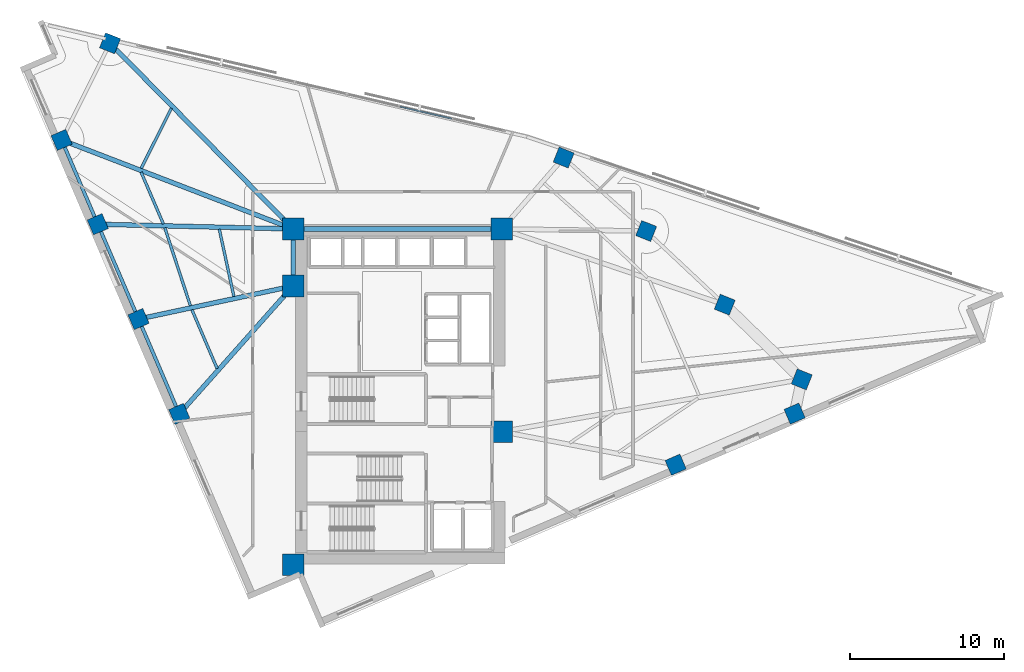
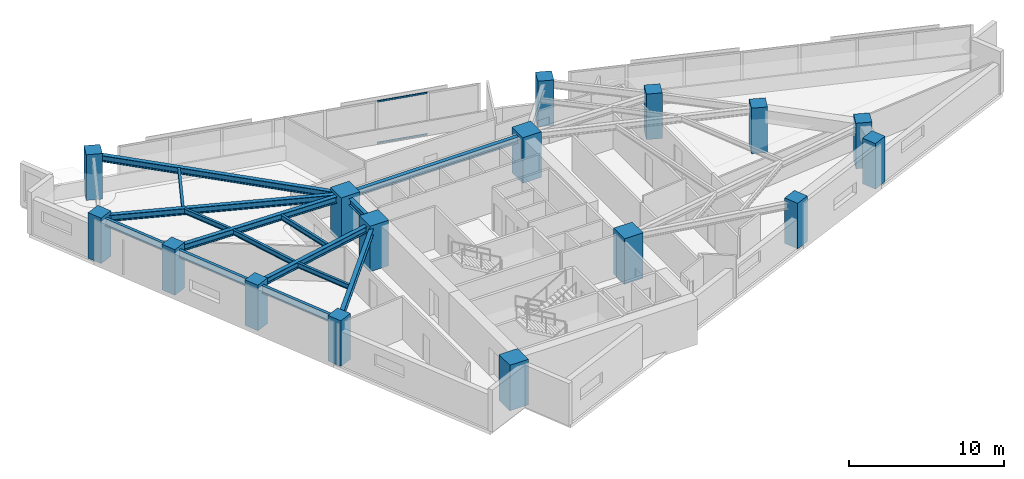
# One storey, part 1 of 13: 16 columns, 15 beams, 2 members, 1 element without a shape of its own.
"""IFC4 building model written with IfcOpenShell, lengths in metres."""

from ifc_helpers import new_model, si_unit, direction, frame, origin, origin_2d, place, context, subcontext, project, spatial, rectangle, hollow_rectangle, i_section, extrude, material, material_profile, profile_set, type_object, element, aggregate, save


model = new_model("IFC4")

# Units and contexts
model_context = context("Model", 3, precision=1e-05, world=origin(), true_north=direction((0.0, 1.0)))
body_context = subcontext(model_context, "Body", "Model", "MODEL_VIEW")
ifc_project = project(units=[si_unit("LENGTHUNIT", "METRE"), si_unit("AREAUNIT", "SQUARE_METRE"), si_unit("VOLUMEUNIT", "CUBIC_METRE"), si_unit("PLANEANGLEUNIT", "RADIAN"), si_unit("MASSUNIT", "GRAM", prefix="KILO")], contexts=[model_context])

# Site, building, storey
site_placement = place(None, origin())
site = spatial("IfcSite", under=ifc_project, at=site_placement, CompositionType="ELEMENT")
building_placement = place(site_placement, origin())
building = spatial("IfcBuilding", under=site, at=building_placement, Name="Narakoshi Arena Tower", CompositionType="ELEMENT")
storey_placement = place(building_placement, frame((0.0, 0.0, 171.89990234375)))
storey = spatial("IfcBuildingStorey", under=building, at=storey_placement, Name="L46", CompositionType="ELEMENT", Elevation=171.89990234375)

# Columns
ifc_material_1 = material(Name="Concrete C50/60", Category="concrete")
ifc_material_profile_1 = material_profile(ifc_material_1, rectangle(XDim=1.050048828125, YDim=1.050048828125, at=origin_2d()), Name="RC1050x1050")
ifc_profile_set_1 = profile_set([ifc_material_profile_1], Name="Concrete C50/60")
column_type_1 = type_object("IfcColumnType", Name="COL-RC1050", PredefinedType="COLUMN", material=ifc_profile_set_1)
for number, where, z_axis, x_axis, name in (
    (1, (96.830078125, 41.2001953125, 0.0), (0.0, 0.0, 1.0), (0.918791210149, 0.394743856384, 0.0), "L46 Tower Perimeter Column TC02"),
    (2, (104.54931640625, 44.5166015625, 0.0), (0.0, 0.0, 1.0), (0.918791210149, 0.394743856384, 0.0), "L46 Tower Perimeter Column TC03"),
    (3, (105.010009765625, 46.73876953125, 0.0), (0.0, 0.0, 1.0), (0.37055743751, 0.928809552872, 0.0), "L46 Tower Perimeter Column TC05"),
    (4, (100.012939453125, 51.58544921875, 0.0), (0.0, 0.0, 1.0), (0.37055743751, 0.928809552872, 0.0), "L46 Tower Perimeter Column TC06"),
    (5, (94.914794921875, 56.36669921875, 0.0), (0.0, 0.0, 1.0), (0.37055743751, 0.928809552872, 0.0), "L46 Tower Perimeter Column TC07"),
    (6, (89.5615234375, 61.134765625, 0.0), (0.0, 0.0, 1.0), (0.37055743751, 0.928809552872, 0.0), "L46 Tower Perimeter Column TC08"),
    (7, (60.12158203125, 68.55126953125, 0.0), (0.0, 0.0, 1.0), (0.37055743751, 0.928809552872, 0.0), "L46 Tower Perimeter Column TC10"),
    (8, (56.9755859375, 62.278564453125, 0.0), (0.0, 0.0, 1.0), (-0.394743856384, 0.918791210149, 0.0), "L46 Tower Perimeter Column TC13"),
    (9, (59.326171875, 56.807373046875, 0.0), (0.0, 0.0, 1.0), (-0.394743856384, 0.918791210149, 0.0), "L46 Tower Perimeter Column TC14"),
    (10, (61.970458984375, 50.652587890625, 0.0), (0.0, 0.0, 1.0), (-0.394743856384, 0.918791210149, 0.0), "L46 Tower Perimeter Column TC15"),
    (11, (64.61474609375, 44.49755859375, 0.0), (0.0, 0.0, 1.0), (-0.394743856384, 0.918791210149, 0.0), "L46 Tower Perimeter Column TC16"),
):
    element("IfcColumn", number, at=place(storey_placement, frame(where, z_axis=z_axis, x_axis=x_axis)), inside=storey, type_object=column_type_1, Name=name, PredefinedType="COLUMN", context=body_context, shape_type="SweptSolid", body=[
        extrude(rectangle(XDim=1.050048828125, YDim=1.050048828125, at=origin_2d()), origin(), (0.0, 0.0, 1.0), 3.60009765625),
    ])
ifc_material_2 = material(Name="Concrete C60/75", Category="concrete")
ifc_material_profile_2 = material_profile(ifc_material_2, rectangle(XDim=1.39990234375, YDim=1.39990234375, at=origin_2d()), Name="RC1400x1400")
ifc_profile_set_2 = profile_set([ifc_material_profile_2], Name="Concrete C60/75")
column_type_2 = type_object("IfcColumnType", Name="COL-RC1400", PredefinedType="COLUMN", material=ifc_profile_set_2)
for number, where, z_axis, x_axis, name in (
    (12, (72.0, 34.699951171875, 0.0), (0.0, 0.0, 1.0), (1.0, 0.0, 0.0), "L46 Core Structural Column CC1"),
    (13, (85.550048828125, 43.35009765625, 0.0), (0.0, 0.0, 1.0), (1.0, 0.0, 0.0), "L46 Core Structural Column CC3"),
    (14, (72.0, 52.800048828125, 0.0), (0.0, 0.0, 1.0), (1.0, 0.0, 0.0), "L46 Core Structural Column CC4"),
    (15, (72.0, 56.5, 0.0), (0.0, 0.0, 1.0), (1.0, 0.0, 0.0), "L46 Core Structural Column CC5"),
    (16, (85.550048828125, 56.5, 0.0), (0.0, 0.0, 1.0), (1.0, 0.0, 0.0), "L46 Core Structural Column CC6"),
):
    element("IfcColumn", number, at=place(storey_placement, frame(where, z_axis=z_axis, x_axis=x_axis)), inside=storey, type_object=column_type_2, Name=name, PredefinedType="COLUMN", context=body_context, shape_type="SweptSolid", body=[
        extrude(rectangle(XDim=1.39990234375, YDim=1.39990234375, at=origin_2d()), origin(), (0.0, 0.0, 1.0), 3.60009765625),
    ])

# Beams
ifc_material_3 = material(Name="Structural steel S355J2", Category="steel")
ifc_material_profile_3 = material_profile(ifc_material_3, i_section(OverallWidth=0.219970703125, OverallDepth=0.60009765625, WebThickness=0.011962890625, FlangeThickness=0.01904296875, FilletRadius=0.02392578125, at=origin_2d()), Name="IPE600")
ifc_profile_set_3 = profile_set([ifc_material_profile_3], Name="Structural steel S355J2")
beam_type_1 = type_object("IfcBeamType", Name="BM-EDGE-600", PredefinedType="BEAM", material=ifc_profile_set_3)
beam_1_placement = place(storey_placement, frame((56.9755859375, 62.278564453125, 3.0400390625), z_axis=(0.394740539552, -0.918792635165, 0.0), x_axis=(0.918792635165, 0.394740539552, 0.0)))
element("IfcBeam", 17, at=beam_1_placement, inside=storey, type_object=beam_type_1, Name="L46 Perimeter Edge Girder 08", PredefinedType="BEAM", context=body_context, shape_type="SweptSolid", body=[
    extrude(i_section(OverallWidth=0.219970703125, OverallDepth=0.60009765625, WebThickness=0.011962890625, FlangeThickness=0.01904296875, FilletRadius=0.02392578125, at=origin_2d()), origin(), (0.0, 0.0, 1.0), 5.954833984375),
])
beam_2_placement = place(storey_placement, frame((59.326171875, 56.807373046875, 3.0400390625), z_axis=(0.394741679056, -0.9187921456, 0.0), x_axis=(0.9187921456, 0.394741679056, 0.0)))
element("IfcBeam", 18, at=beam_2_placement, inside=storey, type_object=beam_type_1, Name="L46 Perimeter Edge Girder 09", PredefinedType="BEAM", context=body_context, shape_type="SweptSolid", body=[
    extrude(i_section(OverallWidth=0.219970703125, OverallDepth=0.60009765625, WebThickness=0.011962890625, FlangeThickness=0.01904296875, FilletRadius=0.02392578125, at=origin_2d()), origin(), (0.0, 0.0, 1.0), 6.69873046875),
])
beam_3_placement = place(storey_placement, frame((61.970458984375, 50.652587890625, 3.0400390625), z_axis=(0.394728461185, -0.918797824296, 0.0), x_axis=(0.918797824296, 0.394728461185, 0.0)))
element("IfcBeam", 19, at=beam_3_placement, inside=storey, type_object=beam_type_1, Name="L46 Perimeter Edge Girder 10", PredefinedType="BEAM", context=body_context, shape_type="SweptSolid", body=[
    extrude(i_section(OverallWidth=0.219970703125, OverallDepth=0.60009765625, WebThickness=0.011962890625, FlangeThickness=0.01904296875, FilletRadius=0.02392578125, at=origin_2d()), origin(), (0.0, 0.0, 1.0), 6.698974609375),
])
ifc_material_profile_4 = material_profile(ifc_material_3, i_section(OverallWidth=0.300048828125, OverallDepth=0.5, WebThickness=0.014404296875, FlangeThickness=0.028076171875, FilletRadius=0.027099609375, at=origin_2d()), Name="HE500B")
ifc_profile_set_4 = profile_set([ifc_material_profile_4], Name="Structural steel S355J2")
beam_type_2 = type_object("IfcBeamType", Name="BM-PRI-500", PredefinedType="BEAM", material=ifc_profile_set_4)
beam_4_placement = place(storey_placement, frame((72.0, 56.5, 3.090087890625), z_axis=(-0.701980816252, 0.71219585341, 0.0), x_axis=(-0.71219585341, -0.701980816252, 0.0)))
element("IfcBeam", 20, at=beam_4_placement, inside=storey, type_object=beam_type_2, Name="L46 Radial Primary Floor Girder 07", PredefinedType="BEAM", context=body_context, shape_type="SweptSolid", body=[
    extrude(i_section(OverallWidth=0.300048828125, OverallDepth=0.5, WebThickness=0.014404296875, FlangeThickness=0.028076171875, FilletRadius=0.027099609375, at=origin_2d()), origin(), (0.0, 0.0, 1.0), 16.92138671875),
])
beam_5_placement = place(storey_placement, frame((72.0, 56.5, 3.090087890625), z_axis=(-0.933346778866, 0.35897603037, 0.0), x_axis=(-0.35897603037, -0.933346778866, 0.0)))
element("IfcBeam", 21, at=beam_5_placement, inside=storey, type_object=beam_type_2, Name="L46 Radial Primary Floor Girder 08", PredefinedType="BEAM", context=body_context, shape_type="SweptSolid", body=[
    extrude(i_section(OverallWidth=0.300048828125, OverallDepth=0.5, WebThickness=0.014404296875, FlangeThickness=0.028076171875, FilletRadius=0.027099609375, at=origin_2d()), origin(), (0.0, 0.0, 1.0), 16.097412109375),
])
beam_6_placement = place(storey_placement, frame((72.0, 56.5, 3.090087890625), z_axis=(-0.999706035824, 0.024245451901, 0.0), x_axis=(-0.024245451901, -0.999706035824, 0.0)))
element("IfcBeam", 22, at=beam_6_placement, inside=storey, type_object=beam_type_2, Name="L46 Radial Primary Floor Girder 09", PredefinedType="BEAM", context=body_context, shape_type="SweptSolid", body=[
    extrude(i_section(OverallWidth=0.300048828125, OverallDepth=0.5, WebThickness=0.014404296875, FlangeThickness=0.028076171875, FilletRadius=0.027099609375, at=origin_2d()), origin(), (0.0, 0.0, 1.0), 12.677490234375),
])
beam_7_placement = place(storey_placement, frame((72.0, 52.800048828125, 3.090087890625), z_axis=(-0.977836885657, -0.209368156721, 0.0), x_axis=(0.209368156721, -0.977836885657, 0.0)))
element("IfcBeam", 23, at=beam_7_placement, inside=storey, type_object=beam_type_2, Name="L46 Radial Primary Floor Girder 10", PredefinedType="BEAM", context=body_context, shape_type="SweptSolid", body=[
    extrude(i_section(OverallWidth=0.300048828125, OverallDepth=0.5, WebThickness=0.014404296875, FlangeThickness=0.028076171875, FilletRadius=0.027099609375, at=origin_2d()), origin(), (0.0, 0.0, 1.0), 10.2568359375),
])
beam_8_placement = place(storey_placement, frame((72.0, 52.800048828125, 3.090087890625), z_axis=(-0.664628360587, -0.747174104412, 0.0), x_axis=(0.747174104412, -0.664628360587, 0.0)))
element("IfcBeam", 24, at=beam_8_placement, inside=storey, type_object=beam_type_2, Name="L46 Radial Primary Floor Girder 11", PredefinedType="BEAM", context=body_context, shape_type="SweptSolid", body=[
    extrude(i_section(OverallWidth=0.300048828125, OverallDepth=0.5, WebThickness=0.014404296875, FlangeThickness=0.028076171875, FilletRadius=0.027099609375, at=origin_2d()), origin(), (0.0, 0.0, 1.0), 11.11181640625),
])
beam_9_placement = place(storey_placement, frame((72.0, 52.800048828125, 3.090087890625), z_axis=(0.0, 1.0, 0.0), x_axis=(-1.0, 0.0, 0.0)))
element("IfcBeam", 25, at=beam_9_placement, inside=storey, type_object=beam_type_2, Name="L46 Core Perimeter Frame Beam CC4-CC5", PredefinedType="BEAM", context=body_context, shape_type="SweptSolid", body=[
    extrude(i_section(OverallWidth=0.300048828125, OverallDepth=0.5, WebThickness=0.014404296875, FlangeThickness=0.028076171875, FilletRadius=0.027099609375, at=origin_2d()), origin(), (0.0, 0.0, 1.0), 3.699951171875),
])
beam_10_placement = place(storey_placement, frame((72.0, 56.5, 3.090087890625), z_axis=(1.0, 0.0, 0.0), x_axis=(0.0, 1.0, 0.0)))
element("IfcBeam", 26, at=beam_10_placement, inside=storey, type_object=beam_type_2, Name="L46 Core Perimeter Frame Beam CC5-CC6", PredefinedType="BEAM", context=body_context, shape_type="SweptSolid", body=[
    extrude(i_section(OverallWidth=0.300048828125, OverallDepth=0.5, WebThickness=0.014404296875, FlangeThickness=0.028076171875, FilletRadius=0.027099609375, at=origin_2d()), origin(), (0.0, 0.0, 1.0), 13.550048828125),
])
ifc_material_profile_5 = material_profile(ifc_material_3, i_section(OverallWidth=0.179931640625, OverallDepth=0.39990234375, WebThickness=0.008544921875, FlangeThickness=0.013427734375, FilletRadius=0.02099609375, at=origin_2d()), Name="IPE400")
ifc_profile_set_5 = profile_set([ifc_material_profile_5], Name="Structural steel S355J2")
beam_type_3 = type_object("IfcBeamType", Name="BM-SEC-400", PredefinedType="JOIST", material=ifc_profile_set_5)
beam_11_placement = place(storey_placement, frame((64.099853515625, 64.333251953125, 3.14013671875), z_axis=(-0.448355109233, -0.893855523015, 0.0), x_axis=(0.893855523015, -0.448355109233, 0.0)))
element("IfcBeam", 27, at=beam_11_placement, inside=storey, type_object=beam_type_3, Name="L46 Composite Secondary Floor Joist 07", PredefinedType="JOIST", context=body_context, shape_type="SweptSolid", body=[
    extrude(i_section(OverallWidth=0.179931640625, OverallDepth=0.39990234375, WebThickness=0.008544921875, FlangeThickness=0.013427734375, FilletRadius=0.02099609375, at=origin_2d()), origin(), (0.0, 0.0, 1.0), 4.361572265625),
])
beam_12_placement = place(storey_placement, frame((62.13720703125, 60.189697265625, 3.14013671875), z_axis=(0.394700077983, -0.918810017599, 0.0), x_axis=(0.918810017599, 0.394700077983, 0.0)))
element("IfcBeam", 28, at=beam_12_placement, inside=storey, type_object=beam_type_3, Name="L46 Composite Secondary Floor Joist 08", PredefinedType="JOIST", context=body_context, shape_type="SweptSolid", body=[
    extrude(i_section(OverallWidth=0.179931640625, OverallDepth=0.39990234375, WebThickness=0.008544921875, FlangeThickness=0.013427734375, FilletRadius=0.02099609375, at=origin_2d()), origin(), (0.0, 0.0, 1.0), 3.659912109375),
])
beam_13_placement = place(storey_placement, frame((67.21240234375, 56.48486328125, 3.14013671875), z_axis=(0.212001112403, -0.977269424642, 0.0), x_axis=(0.977269424642, 0.212001112403, 0.0)))
element("IfcBeam", 29, at=beam_13_placement, inside=storey, type_object=beam_type_3, Name="L46 Composite Secondary Floor Joist 09", PredefinedType="JOIST", context=body_context, shape_type="SweptSolid", body=[
    extrude(i_section(OverallWidth=0.179931640625, OverallDepth=0.39990234375, WebThickness=0.008544921875, FlangeThickness=0.013427734375, FilletRadius=0.02099609375, at=origin_2d()), origin(), (0.0, 0.0, 1.0), 4.470458984375),
])
beam_14_placement = place(storey_placement, frame((63.67724609375, 56.57470703125, 3.14013671875), z_axis=(0.311702562929, -0.950179726296, 0.0), x_axis=(0.950179726296, 0.311702562929, 0.0)))
element("IfcBeam", 30, at=beam_14_placement, inside=storey, type_object=beam_type_3, Name="L46 Composite Secondary Floor Joist 10", PredefinedType="JOIST", context=body_context, shape_type="SweptSolid", body=[
    extrude(i_section(OverallWidth=0.179931640625, OverallDepth=0.39990234375, WebThickness=0.008544921875, FlangeThickness=0.013427734375, FilletRadius=0.02099609375, at=origin_2d()), origin(), (0.0, 0.0, 1.0), 5.329345703125),
])
beam_15_placement = place(storey_placement, frame((65.433837890625, 51.258544921875, 3.14013671875), z_axis=(0.394735391015, -0.918794847113, 0.0), x_axis=(0.918794847113, 0.394735391015, 0.0)))
element("IfcBeam", 31, at=beam_15_placement, inside=storey, type_object=beam_type_3, Name="L46 Composite Secondary Floor Joist 11", PredefinedType="JOIST", context=body_context, shape_type="SweptSolid", body=[
    extrude(i_section(OverallWidth=0.179931640625, OverallDepth=0.39990234375, WebThickness=0.008544921875, FlangeThickness=0.013427734375, FilletRadius=0.02099609375, at=origin_2d()), origin(), (0.0, 0.0, 1.0), 4.1513671875),
])

# Curtain wall, members
ifc_material_4 = material(Name="Anodised bronze aluminium 6063-T6", Category="aluminium")
curtain_wall_type = type_object("IfcCurtainWallType", Name="CW-HYP-MID", PredefinedType="NOTDEFINED", material=ifc_material_4)
curtain_wall_placement = place(storey_placement, origin())
curtain_wall = element("IfcCurtainWall", 32, at=curtain_wall_placement, inside=storey, type_object=curtain_wall_type, Name="L46 Folded Hypotenuse Curtain Wall 2-1", PredefinedType="NOTDEFINED")
ifc_material_profile_6 = material_profile(ifc_material_4, hollow_rectangle(XDim=0.06494140625, YDim=0.1298828125, WallThickness=0.00390625, OuterFilletRadius=0.0048828125, at=origin_2d()), Name="TRN130x65x4")
ifc_profile_set_6 = profile_set([ifc_material_profile_6], Name="Anodised bronze aluminium 6063-T6")
member_type = type_object("IfcMemberType", Name="MEM-TRN-130", PredefinedType="USERDEFINED", material=ifc_profile_set_6)
member_1_placement = place(storey_placement, frame((82.27587890625, 63.6611328125, 0.03271484375), z_axis=(-0.973960713384, 0.226716847155, 0.0), x_axis=(-0.226716847155, -0.973960713384, 0.0)))
member_1 = element("IfcMember", 33, at=member_1_placement, type_object=member_type, Name="CW-02 transom 2.1", ObjectType="TRANSOM", PredefinedType="USERDEFINED", context=body_context, shape_type="SweptSolid", body=[
    extrude(hollow_rectangle(XDim=0.06494140625, YDim=0.1298828125, WallThickness=0.00390625, OuterFilletRadius=0.0048828125, at=origin_2d()), origin(), (0.0, 0.0, 1.0), 3.416748046875),
])
member_2_placement = place(storey_placement, frame((82.27587890625, 63.6611328125, 3.3076171875), z_axis=(-0.973960713384, 0.226716847155, 0.0), x_axis=(-0.226716847155, -0.973960713384, 0.0)))
member_2 = element("IfcMember", 34, at=member_2_placement, type_object=member_type, Name="CW-02 transom 2.2", ObjectType="TRANSOM", PredefinedType="USERDEFINED", context=body_context, shape_type="SweptSolid", body=[
    extrude(hollow_rectangle(XDim=0.06494140625, YDim=0.1298828125, WallThickness=0.00390625, OuterFilletRadius=0.0048828125, at=origin_2d()), origin(), (0.0, 0.0, 1.0), 3.416748046875),
])
aggregate(curtain_wall, [member_1, member_2])

save(model, "model.ifc")
